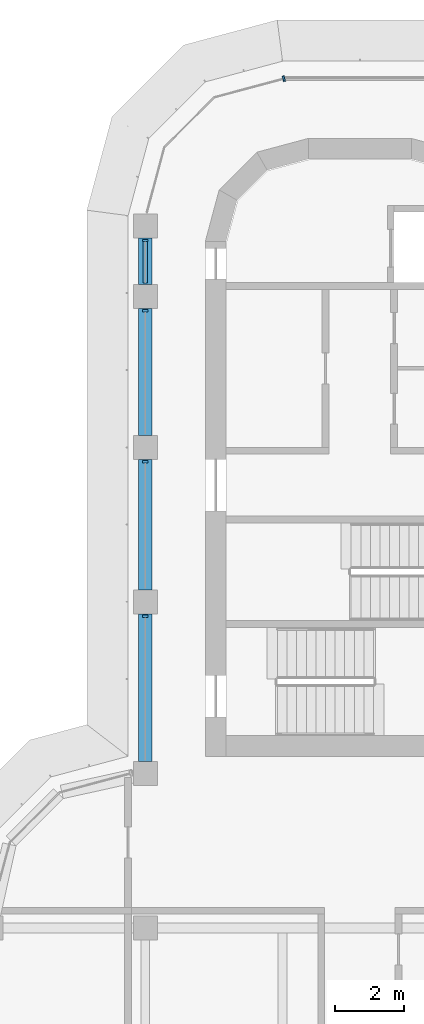
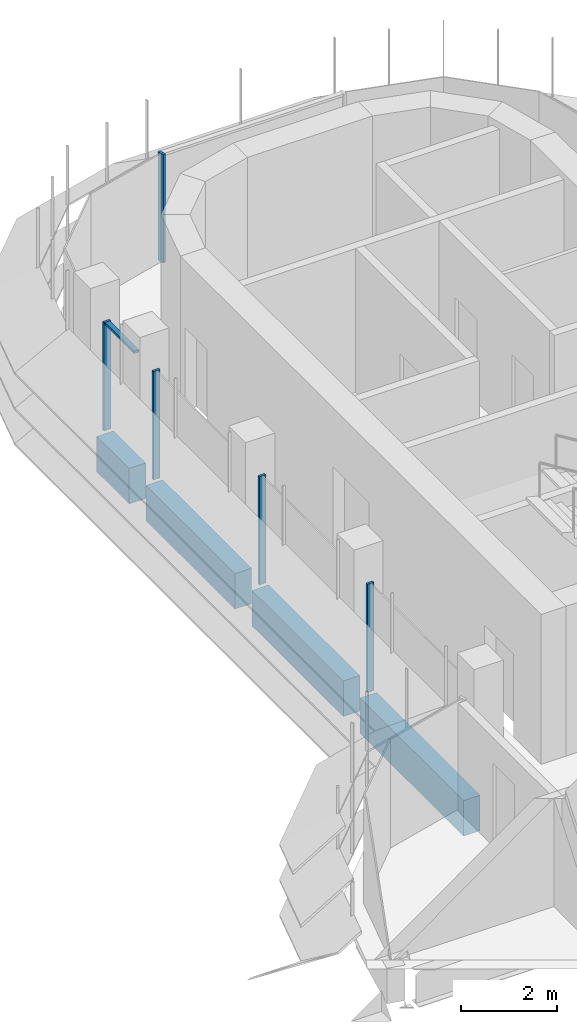
# One storey, part 7 of 18: 6 members, 4 beams, 2 elements without a shape of their own.
"""IFC4 building model written with IfcOpenShell, lengths in metres."""

from ifc_helpers import new_model, si_unit, direction, frame, origin, origin_2d, place, context, subcontext, project, spatial, polyline, rectangle, outline, extrude, source, transform, mapped, material, material_profile, profile_set, type_object, element, aggregate, save


model = new_model("IFC4")

# Units and contexts
model_context = context("Model", 3, precision=1e-05, world=origin(), true_north=direction((0.0, 1.0)))
body_context = subcontext(model_context, "Body", "Model", "MODEL_VIEW")
ifc_project = project(units=[si_unit("LENGTHUNIT", "METRE"), si_unit("AREAUNIT", "SQUARE_METRE"), si_unit("VOLUMEUNIT", "CUBIC_METRE"), si_unit("PLANEANGLEUNIT", "RADIAN"), si_unit("MASSUNIT", "GRAM", prefix="KILO")], contexts=[model_context])

# Site, building, storey
site_placement = place(None, origin())
site = spatial("IfcSite", under=ifc_project, at=site_placement, CompositionType="ELEMENT")
building_placement = place(site_placement, origin())
building = spatial("IfcBuilding", under=site, at=building_placement, Name="Zarbagh Exchange Tower", CompositionType="ELEMENT")
storey_placement = place(building_placement, frame((0.0, 0.0, 206.800048828125)))
storey = spatial("IfcBuildingStorey", under=building, at=storey_placement, Name="L50", CompositionType="ELEMENT", Elevation=206.800048828125)

# Beams
ifc_material_1 = material(Name="Concrete C50/60", Category="concrete")
ifc_material_profile = material_profile(ifc_material_1, rectangle(XDim=0.39990234375, YDim=0.89990234375, at=origin_2d()), Name="RC spandrel beam 400 x 900 C50/60")
ifc_profile_set = profile_set([ifc_material_profile], Name="Concrete C50/60")
beam_type = type_object("IfcBeamType", Name="RC spandrel beam 400 x 900 C50/60", PredefinedType="SPANDREL", material=ifc_profile_set)
beam_1_placement = place(storey_placement, frame((-6.25, 11.10009765625, -0.60009765625), z_axis=(0.0, 1.0, 0.0), x_axis=(-1.0, 0.0, 0.0)))
element("IfcBeam", 1, at=beam_1_placement, inside=storey, type_object=beam_type, Name="RC spandrel beam", PredefinedType="SPANDREL", context=body_context, shape_type="SweptSolid", body=[
    extrude(rectangle(XDim=0.39990234375, YDim=0.89990234375, at=origin_2d()), origin(), (0.0, 0.0, 1.0), 4.2998046875),
])
beam_2_placement = place(storey_placement, frame((-6.25, 16.10009765625, -0.60009765625), z_axis=(0.0, 1.0, 0.0), x_axis=(-1.0, 0.0, 0.0)))
element("IfcBeam", 2, at=beam_2_placement, inside=storey, type_object=beam_type, Name="RC spandrel beam", PredefinedType="SPANDREL", context=body_context, shape_type="SweptSolid", body=[
    extrude(rectangle(XDim=0.39990234375, YDim=0.89990234375, at=origin_2d()), origin(), (0.0, 0.0, 1.0), 3.7998046875),
])
beam_3_placement = place(storey_placement, frame((-6.25, 20.60009765625, -0.60009765625), z_axis=(0.0, 1.0, 0.0), x_axis=(-1.0, 0.0, 0.0)))
element("IfcBeam", 3, at=beam_3_placement, inside=storey, type_object=beam_type, Name="RC spandrel beam", PredefinedType="SPANDREL", context=body_context, shape_type="SweptSolid", body=[
    extrude(rectangle(XDim=0.39990234375, YDim=0.89990234375, at=origin_2d()), origin(), (0.0, 0.0, 1.0), 3.699951171875),
])
beam_4_placement = place(storey_placement, frame((-6.25, 25.0, -0.60009765625), z_axis=(0.0, 1.0, 0.0), x_axis=(-1.0, 0.0, 0.0)))
element("IfcBeam", 4, at=beam_4_placement, inside=storey, type_object=beam_type, Name="RC spandrel beam", PredefinedType="SPANDREL", context=body_context, shape_type="SweptSolid", body=[
    extrude(rectangle(XDim=0.39990234375, YDim=0.89990234375, at=origin_2d()), origin(), (0.0, 0.0, 1.0), 1.35009765625),
])

# Curtain wall, member
ifc_material_2 = material(Name="Anodised aluminium frame and glazing", Category="aluminium")
curtain_wall_type = type_object("IfcCurtainWallType", Name="CWB Ribbon glazing, upper zones", PredefinedType="NOTDEFINED", material=ifc_material_2)
curtain_wall_1_placement = place(storey_placement, origin())
curtain_wall_1 = element("IfcCurtainWall", 5, at=curtain_wall_1_placement, inside=storey, type_object=curtain_wall_type, Name="CWB25 curtain wall", PredefinedType="NOTDEFINED")
ifc_material_3 = material(Name="Anodised aluminium frame", Category="aluminium")
member_type_1 = type_object("IfcMemberType", Name="MUB Mullion, anodised aluminium frame", PredefinedType="MULLION", material=ifc_material_3)
shared_shape_1 = source(origin(), body_context, "Body", "SweptSolid", [
    extrude(outline(polyline([(0.0, -0.080078125), (0.06005859375, -0.080078125), (0.06005859375, 0.080078125), (0.0, 0.080078125), (0.0, -0.080078125)])), origin(), (0.0, 0.0, 1.0), 2.75),
])
placement = place(storey_placement, origin())
member_1 = element("IfcMember", 6, at=placement, type_object=member_type_1, Name="CWB25 mullion 1.1", PredefinedType="MULLION", context=body_context, shape_type="MappedRepresentation", body=[
    mapped(shared_shape_1, transform((-2.18408203125, 31.0, 0.0), x_axis=(-0.965924289636, -0.258824779902, 0.0), y_axis=(0.258824779902, -0.965924289636, 0.0), z_axis=(0.0, 0.0, 1.0))),
])
aggregate(curtain_wall_1, [member_1])

# Curtain wall, members
curtain_wall_2_placement = place(storey_placement, origin())
curtain_wall_2 = element("IfcCurtainWall", 7, at=curtain_wall_2_placement, inside=storey, type_object=curtain_wall_type, Name="CWB28 curtain wall", PredefinedType="NOTDEFINED")
member_2 = element("IfcMember", 8, at=placement, type_object=member_type_1, Name="CWB28 mullion 1.1", PredefinedType="MULLION", context=body_context, shape_type="MappedRepresentation", body=[
    mapped(shared_shape_1, transform((-6.25, 26.31005859375, 0.0), x_axis=(0.0, -1.0, 0.0), y_axis=(1.0, 0.0, 0.0), z_axis=(0.0, 0.0, 1.0))),
])
member_3 = element("IfcMember", 9, at=placement, type_object=member_type_1, Name="CWB28 mullion 2.1", PredefinedType="MULLION", context=body_context, shape_type="MappedRepresentation", body=[
    mapped(shared_shape_1, transform((-6.25, 24.260009765625, 0.0), x_axis=(0.0, -1.0, 0.0), y_axis=(1.0, 0.0, 0.0), z_axis=(0.0, 0.0, 1.0))),
])
member_4 = element("IfcMember", 10, at=placement, type_object=member_type_1, Name="CWB28 mullion 3.1", PredefinedType="MULLION", context=body_context, shape_type="MappedRepresentation", body=[
    mapped(shared_shape_1, transform((-6.25, 19.85986328125, 0.0), x_axis=(0.0, -1.0, 0.0), y_axis=(1.0, 0.0, 0.0), z_axis=(0.0, 0.0, 1.0))),
])
member_5 = element("IfcMember", 11, at=placement, type_object=member_type_1, Name="CWB28 mullion 4.1", PredefinedType="MULLION", context=body_context, shape_type="MappedRepresentation", body=[
    mapped(shared_shape_1, transform((-6.25, 15.35986328125, 0.0), x_axis=(0.0, -1.0, 0.0), y_axis=(1.0, 0.0, 0.0), z_axis=(0.0, 0.0, 1.0))),
])
member_type_2 = type_object("IfcMemberType", Name="TRB Transom, anodised aluminium frame", PredefinedType="USERDEFINED", material=ifc_material_3)
shared_shape_2 = source(origin(), body_context, "Body", "SweptSolid", [
    extrude(outline(polyline([(-0.06005859375, -0.06005859375), (0.0, -0.06005859375), (0.0, 0.06005859375), (-0.06005859375, 0.06005859375), (-0.06005859375, -0.06005859375)])), origin(), (0.0, 0.0, 1.0), 1.2099609375),
])
member_6 = element("IfcMember", 12, at=placement, type_object=member_type_2, Name="CWB28 transom 1.1", ObjectType="TRANSOM", PredefinedType="USERDEFINED", context=body_context, shape_type="MappedRepresentation", body=[
    mapped(shared_shape_2, transform((-6.25, 26.25, 2.75), x_axis=(0.0, 0.0, 1.0), y_axis=(-1.0, 0.0, 0.0), z_axis=(0.0, -1.0, 0.0))),
])
aggregate(curtain_wall_2, [member_2, member_6, member_3, member_4, member_5])

save(model, "model.ifc")
